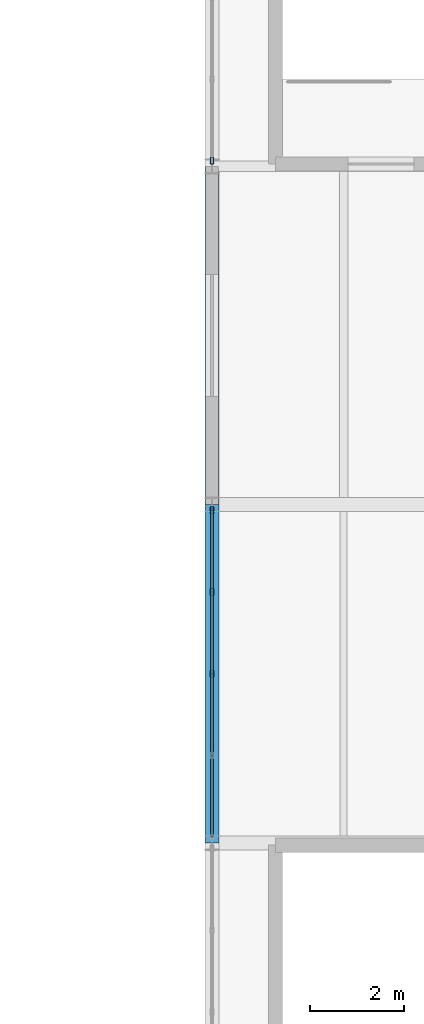
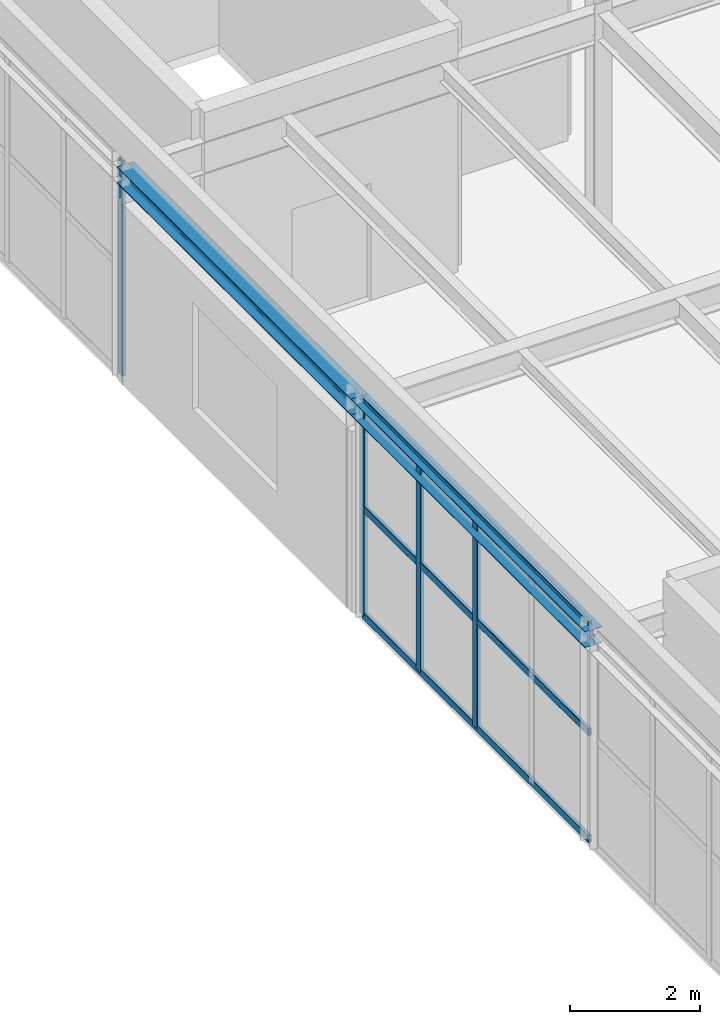
# One storey, part 58 of 77: 7 members, 2 beams, 2 elements without a shape of their own.
"""IFC4 building model written with IfcOpenShell, lengths in metres."""

from ifc_helpers import new_model, si_unit, derived_unit, direction, frame, origin, origin_2d, place, context, subcontext, project, spatial, hollow_rectangle, i_section, extrude, material, material_profile, profile_set, type_object, element, aggregate, save


model = new_model("IFC4")

# Units and contexts
model_context = context("Model", 3, precision=1e-05, world=origin(), true_north=direction((0.0, 1.0)))
body_context = subcontext(model_context, "Body", "Model", "MODEL_VIEW")
ifc_project = project(units=[si_unit("LENGTHUNIT", "METRE"), si_unit("AREAUNIT", "SQUARE_METRE"), si_unit("VOLUMEUNIT", "CUBIC_METRE"), si_unit("PLANEANGLEUNIT", "RADIAN"), si_unit("MASSUNIT", "GRAM", prefix="KILO"), derived_unit("THERMALTRANSMITTANCEUNIT", [(si_unit("MASSUNIT", "GRAM", prefix="KILO"), 1), (si_unit("TIMEUNIT", "SECOND"), -3), (si_unit("THERMODYNAMICTEMPERATUREUNIT", "KELVIN"), -1)])], contexts=[model_context])

# Site, building, storey
site_placement = place(None, origin())
site = spatial("IfcSite", under=ifc_project, at=site_placement, CompositionType="ELEMENT")
building_placement = place(site_placement, origin())
building = spatial("IfcBuilding", under=site, at=building_placement, Name="Kharveza Railside Sports Centre", CompositionType="ELEMENT")
storey_placement = place(building_placement, frame((0.0, 0.0, 17.10009765625)))
storey = spatial("IfcBuildingStorey", under=building, at=storey_placement, Name="L04", CompositionType="ELEMENT", Elevation=17.10009765625)

# Beams
ifc_material_1 = material(Name="Steel S355J2", Category="steel")
ifc_material_profile_1 = material_profile(ifc_material_1, i_section(OverallWidth=0.300048828125, OverallDepth=0.31005859375, WebThickness=0.009033203125, FlangeThickness=0.015380859375, FilletRadius=0.027099609375, at=origin_2d()), Name="HEA 320")
ifc_profile_set_1 = profile_set([ifc_material_profile_1], Name="Steel S355J2")
beam_type = type_object("IfcBeamType", Name="BM-S06", PredefinedType="BEAM", material=ifc_profile_set_1)
beam_1_placement = place(storey_placement, frame((142.800048828125, 43.199951171875, 3.85498046875), z_axis=(0.0, 1.0, 0.0), x_axis=(-1.0, 0.0, 0.0)))
element("IfcBeam", 1, at=beam_1_placement, inside=storey, type_object=beam_type, Name="BM-NS-L04-B14-X1428-Y432", PredefinedType="BEAM", context=body_context, shape_type="SweptSolid", body=[
    extrude(i_section(OverallWidth=0.300048828125, OverallDepth=0.31005859375, WebThickness=0.009033203125, FlangeThickness=0.015380859375, FilletRadius=0.027099609375, at=origin_2d()), origin(), (0.0, 0.0, 1.0), 7.199951171875),
])
beam_2_placement = place(storey_placement, frame((142.800048828125, 50.39990234375, 3.85498046875), z_axis=(0.0, 1.0, 0.0), x_axis=(-1.0, 0.0, 0.0)))
element("IfcBeam", 2, at=beam_2_placement, inside=storey, type_object=beam_type, Name="BM-NS-L04-B14-X1428-Y504", PredefinedType="BEAM", context=body_context, shape_type="SweptSolid", body=[
    extrude(i_section(OverallWidth=0.300048828125, OverallDepth=0.31005859375, WebThickness=0.009033203125, FlangeThickness=0.015380859375, FilletRadius=0.027099609375, at=origin_2d()), origin(), (0.0, 0.0, 1.0), 7.2001953125),
])

# Curtain wall, member
ifc_material_2 = material(Name="Low-E solar-control laminated glass", Category="glass")
curtain_wall_type = type_object("IfcCurtainWallType", Name="CW-WG04", PredefinedType="NOTDEFINED", material=ifc_material_2)
curtain_wall_1_placement = place(storey_placement, origin())
curtain_wall_1 = element("IfcCurtainWall", 3, at=curtain_wall_1_placement, inside=storey, type_object=curtain_wall_type, Name="CW-WG-L04-CW-WG04-X1428-Y612", PredefinedType="NOTDEFINED")
ifc_material_3 = material(Name="Anodised aluminium 6063-T6", Category="aluminium")
ifc_material_profile_2 = material_profile(ifc_material_3, hollow_rectangle(XDim=0.06494140625, YDim=0.14990234375, WallThickness=0.0048828125, InnerFilletRadius=0.0048828125, OuterFilletRadius=0.010009765625, at=origin_2d()), Name="RHS 65x150x5.0")
ifc_profile_set_2 = profile_set([ifc_material_profile_2], Name="Anodised aluminium 6063-T6")
member_type_1 = type_object("IfcMemberType", Name="CW-ML04", PredefinedType="MULLION", material=ifc_profile_set_2)
member_1_placement = place(storey_placement, frame((142.800048828125, 57.719970703125, 0.0), z_axis=(0.0, 0.0, 1.0), x_axis=(1.0, 0.0, 0.0)))
member_1 = element("IfcMember", 4, at=member_1_placement, type_object=member_type_1, Name="CW-WG-L04-CW-WG04-X1428-Y612-ML5", PredefinedType="MULLION", context=body_context, shape_type="SweptSolid", body=[
    extrude(hollow_rectangle(XDim=0.06494140625, YDim=0.14990234375, WallThickness=0.0048828125, InnerFilletRadius=0.0048828125, OuterFilletRadius=0.010009765625, at=origin_2d()), origin(), (0.0, 0.0, 1.0), 4.010009765625),
])
aggregate(curtain_wall_1, [member_1])

# Curtain wall, members
curtain_wall_2_placement = place(storey_placement, origin())
curtain_wall_2 = element("IfcCurtainWall", 5, at=curtain_wall_2_placement, inside=storey, type_object=curtain_wall_type, Name="CW-WG-L04-CW-WG04-X1428-Y468", PredefinedType="NOTDEFINED")
member_2_placement = place(storey_placement, frame((142.800048828125, 50.280029296875, 0.0), z_axis=(0.0, 0.0, 1.0), x_axis=(1.0, 0.0, 0.0)))
member_2 = element("IfcMember", 6, at=member_2_placement, type_object=member_type_1, Name="CW-WG-L04-CW-WG04-X1428-Y468-ML1", PredefinedType="MULLION", context=body_context, shape_type="SweptSolid", body=[
    extrude(hollow_rectangle(XDim=0.06494140625, YDim=0.14990234375, WallThickness=0.0048828125, InnerFilletRadius=0.0048828125, OuterFilletRadius=0.010009765625, at=origin_2d()), origin(), (0.0, 0.0, 1.0), 4.010009765625),
])
member_3_placement = place(storey_placement, frame((142.800048828125, 48.5400390625, 0.0), z_axis=(0.0, 0.0, 1.0), x_axis=(1.0, 0.0, 0.0)))
member_3 = element("IfcMember", 7, at=member_3_placement, type_object=member_type_1, Name="CW-WG-L04-CW-WG04-X1428-Y468-ML2", PredefinedType="MULLION", context=body_context, shape_type="SweptSolid", body=[
    extrude(hollow_rectangle(XDim=0.06494140625, YDim=0.14990234375, WallThickness=0.0048828125, InnerFilletRadius=0.0048828125, OuterFilletRadius=0.010009765625, at=origin_2d()), origin(), (0.0, 0.0, 1.0), 4.010009765625),
])
member_4_placement = place(storey_placement, frame((142.800048828125, 46.800048828125, 0.0), z_axis=(0.0, 0.0, 1.0), x_axis=(1.0, 0.0, 0.0)))
member_4 = element("IfcMember", 8, at=member_4_placement, type_object=member_type_1, Name="CW-WG-L04-CW-WG04-X1428-Y468-ML3", PredefinedType="MULLION", context=body_context, shape_type="SweptSolid", body=[
    extrude(hollow_rectangle(XDim=0.06494140625, YDim=0.14990234375, WallThickness=0.0048828125, InnerFilletRadius=0.0048828125, OuterFilletRadius=0.010009765625, at=origin_2d()), origin(), (0.0, 0.0, 1.0), 4.010009765625),
])
ifc_material_profile_3 = material_profile(ifc_material_3, hollow_rectangle(XDim=0.06005859375, YDim=0.139892578125, WallThickness=0.0048828125, InnerFilletRadius=0.0048828125, OuterFilletRadius=0.010009765625, at=origin_2d()), Name="RHS 60x140x5.0")
ifc_profile_set_3 = profile_set([ifc_material_profile_3], Name="Anodised aluminium 6063-T6")
member_type_2 = type_object("IfcMemberType", Name="CW-TR04", PredefinedType="USERDEFINED", material=ifc_profile_set_3)
member_5_placement = place(storey_placement, frame((142.800048828125, 50.280029296875, 0.0), z_axis=(0.0, -1.0, 0.0), x_axis=(1.0, 0.0, 0.0)))
member_5 = element("IfcMember", 9, at=member_5_placement, type_object=member_type_2, Name="CW-WG-L04-CW-WG04-X1428-Y468-TR1", ObjectType="TRANSOM", PredefinedType="USERDEFINED", context=body_context, shape_type="SweptSolid", body=[
    extrude(hollow_rectangle(XDim=0.06005859375, YDim=0.139892578125, WallThickness=0.0048828125, InnerFilletRadius=0.0048828125, OuterFilletRadius=0.010009765625, at=origin_2d()), origin(), (0.0, 0.0, 1.0), 6.9599609375),
])
member_6_placement = place(storey_placement, frame((142.800048828125, 50.280029296875, 2.0048828125), z_axis=(0.0, -1.0, 0.0), x_axis=(1.0, 0.0, 0.0)))
member_6 = element("IfcMember", 10, at=member_6_placement, type_object=member_type_2, Name="CW-WG-L04-CW-WG04-X1428-Y468-TR2", ObjectType="TRANSOM", PredefinedType="USERDEFINED", context=body_context, shape_type="SweptSolid", body=[
    extrude(hollow_rectangle(XDim=0.06005859375, YDim=0.139892578125, WallThickness=0.0048828125, InnerFilletRadius=0.0048828125, OuterFilletRadius=0.010009765625, at=origin_2d()), origin(), (0.0, 0.0, 1.0), 6.9599609375),
])
member_7_placement = place(storey_placement, frame((142.800048828125, 50.280029296875, 4.010009765625), z_axis=(0.0, -1.0, 0.0), x_axis=(1.0, 0.0, 0.0)))
member_7 = element("IfcMember", 11, at=member_7_placement, type_object=member_type_2, Name="CW-WG-L04-CW-WG04-X1428-Y468-TR3", ObjectType="TRANSOM", PredefinedType="USERDEFINED", context=body_context, shape_type="SweptSolid", body=[
    extrude(hollow_rectangle(XDim=0.06005859375, YDim=0.139892578125, WallThickness=0.0048828125, InnerFilletRadius=0.0048828125, OuterFilletRadius=0.010009765625, at=origin_2d()), origin(), (0.0, 0.0, 1.0), 6.9599609375),
])
aggregate(curtain_wall_2, [member_2, member_3, member_4, member_5, member_6, member_7])

save(model, "model.ifc")
